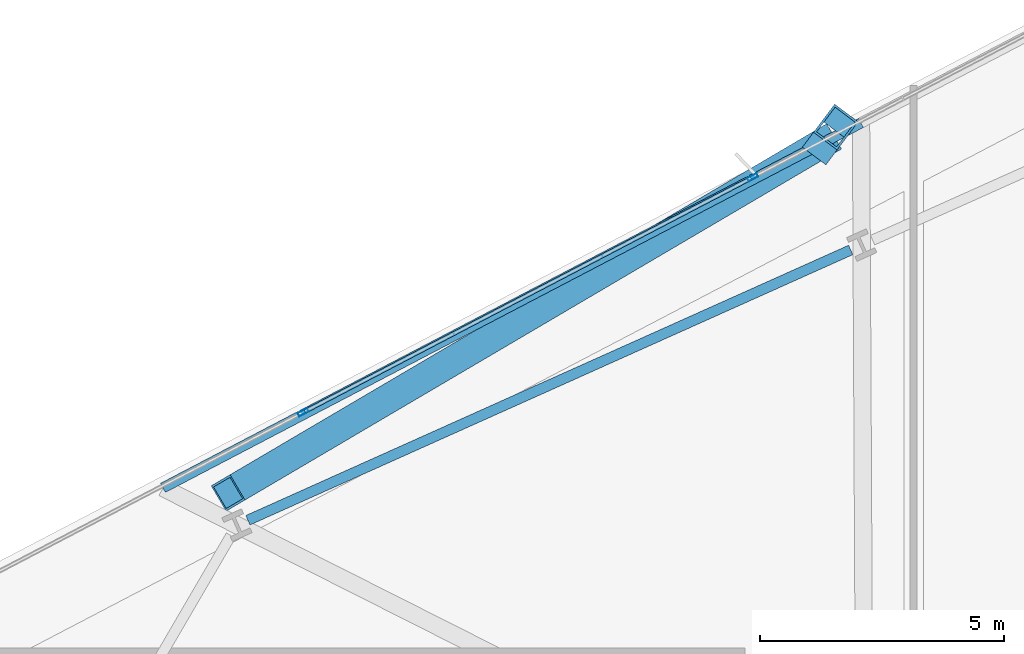
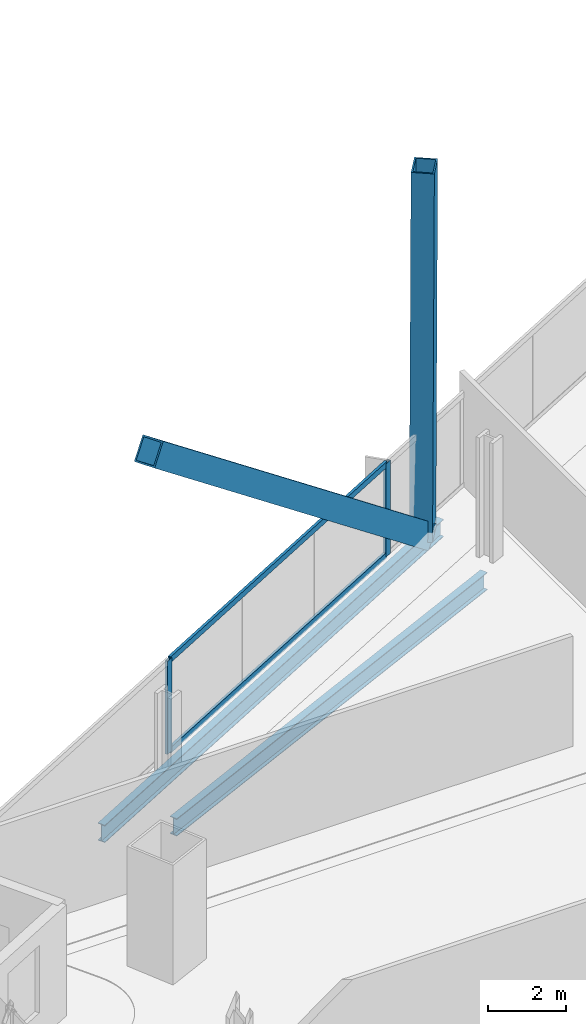
# One storey, part 17 of 33: 6 members, 2 beams, 1 element without a shape of its own.
"""IFC4 building model written with IfcOpenShell, lengths in metres."""

from ifc_helpers import new_model, si_unit, direction, frame, origin, origin_2d, place, context, subcontext, project, spatial, hollow_rectangle, i_section, extrude, material, material_profile, profile_set, type_object, element, aggregate, save


model = new_model("IFC4")

# Units and contexts
model_context = context("Model", 3, precision=1e-05, world=origin(), true_north=direction((0.0, 1.0)))
body_context = subcontext(model_context, "Body", "Model", "MODEL_VIEW")
ifc_project = project(units=[si_unit("LENGTHUNIT", "METRE"), si_unit("AREAUNIT", "SQUARE_METRE"), si_unit("VOLUMEUNIT", "CUBIC_METRE"), si_unit("PLANEANGLEUNIT", "RADIAN"), si_unit("MASSUNIT", "GRAM", prefix="KILO")], contexts=[model_context])

# Site, building, storey
site_placement = place(None, origin())
site = spatial("IfcSite", under=ifc_project, at=site_placement, CompositionType="ELEMENT")
building_placement = place(site_placement, origin())
building = spatial("IfcBuilding", under=site, at=building_placement, Name="Haldenkirk Collegiate Tower", CompositionType="ELEMENT")
storey_placement = place(building_placement, frame((0.0, 0.0, 120.449951171875)))
storey = spatial("IfcBuildingStorey", under=building, at=storey_placement, Name="L29", CompositionType="ELEMENT", Elevation=120.449951171875)

# Beams
ifc_material_1 = material(Name="Steel ASTM A992 Grade 50", Category="steel")
ifc_material_profile_1 = material_profile(ifc_material_1, i_section(OverallWidth=0.2119140625, OverallDepth=0.5439453125, WebThickness=0.01318359375, FlangeThickness=0.021240234375, at=origin_2d()), Name="W21X83")
ifc_profile_set_1 = profile_set([ifc_material_profile_1], Name="Steel ASTM A992 Grade 50")
beam_type = type_object("IfcBeamType", Name="BM-SPANDREL-W21X83", PredefinedType="SPANDREL", material=ifc_profile_set_1)
beam_1_placement = place(storey_placement, frame((26.7138671875, 46.111083984375, -0.572021484375), z_axis=(-0.912476765144, -0.409128528793, 0.0), x_axis=(0.409128528793, -0.912476765144, 0.0)))
element("IfcBeam", 1, at=beam_1_placement, inside=storey, type_object=beam_type, Name="L29 perimeter spandrel beam 11", PredefinedType="SPANDREL", context=body_context, shape_type="SweptSolid", body=[
    extrude(i_section(OverallWidth=0.2119140625, OverallDepth=0.5439453125, WebThickness=0.01318359375, FlangeThickness=0.021240234375, at=origin_2d()), origin(), (0.0, 0.0, 1.0), 13.512939453125),
])
beam_2_placement = place(storey_placement, frame((26.925048828125, 48.7099609375, -0.572021484375), z_axis=(-0.886204658902, -0.463293969894, 0.0), x_axis=(0.463293969894, -0.886204658902, 0.0)))
element("IfcBeam", 2, at=beam_2_placement, inside=storey, type_object=beam_type, Name="L29 outer facade edge beam 3B", PredefinedType="SPANDREL", context=body_context, shape_type="SweptSolid", body=[
    extrude(i_section(OverallWidth=0.2119140625, OverallDepth=0.5439453125, WebThickness=0.01318359375, FlangeThickness=0.021240234375, at=origin_2d()), origin(), (0.0, 0.0, 1.0), 16.111572265625),
])

# Curtain wall, members
ifc_material_2 = material(Name="Anodised architectural bronze aluminium", Category="aluminium")
curtain_wall_type = type_object("IfcCurtainWallType", Name="CW-SYS1-CONVEX-LOW", PredefinedType="USERDEFINED", material=ifc_material_2)
curtain_wall_placement = place(storey_placement, origin())
curtain_wall = element("IfcCurtainWall", 3, at=curtain_wall_placement, inside=storey, type_object=curtain_wall_type, Name="L29 Lower tower convex bronze-framed unitised curtain wall", ObjectType="UNITISED CURTAIN WALL", PredefinedType="USERDEFINED")
ifc_material_profile_2 = material_profile(ifc_material_2, hollow_rectangle(XDim=0.080078125, YDim=0.219970703125, WallThickness=0.0048828125, at=origin_2d()), Name="CW-MUL-1A")
ifc_profile_set_2 = profile_set([ifc_material_profile_2], Name="Anodised architectural bronze aluminium")
member_type_1 = type_object("IfcMemberType", Name="CW-MUL-1A", PredefinedType="MULLION", material=ifc_profile_set_2)
member_1_placement = place(storey_placement, frame((15.51513671875, 42.7900390625, 0.0), z_axis=(0.0, 0.0, 1.0), x_axis=(-0.463296790536, 0.886203184309, 0.0)))
member_1 = element("IfcMember", 4, at=member_1_placement, type_object=member_type_1, Name="CW-1A mullion 2", PredefinedType="MULLION", context=body_context, shape_type="SweptSolid", body=[
    extrude(hollow_rectangle(XDim=0.080078125, YDim=0.219970703125, WallThickness=0.0048828125, at=origin_2d()), origin(), (0.0, 0.0, 1.0), 2.901123046875),
])
member_2_placement = place(storey_placement, frame((24.70947265625, 47.5966796875, 0.0), z_axis=(0.0, 0.0, 1.0), x_axis=(-0.463296790536, 0.886203184309, 0.0)))
member_2 = element("IfcMember", 5, at=member_2_placement, type_object=member_type_1, Name="CW-1A mullion 3", PredefinedType="MULLION", context=body_context, shape_type="SweptSolid", body=[
    extrude(hollow_rectangle(XDim=0.080078125, YDim=0.219970703125, WallThickness=0.0048828125, at=origin_2d()), origin(), (0.0, 0.0, 1.0), 2.901123046875),
])
ifc_material_profile_3 = material_profile(ifc_material_2, hollow_rectangle(XDim=0.080078125, YDim=0.179931640625, WallThickness=0.0048828125, at=origin_2d()), Name="CW-TRN-1A")
ifc_profile_set_3 = profile_set([ifc_material_profile_3], Name="Anodised architectural bronze aluminium")
member_type_2 = type_object("IfcMemberType", Name="CW-TRN-1A", PredefinedType="USERDEFINED", material=ifc_profile_set_3)
member_3_placement = place(storey_placement, frame((15.550537109375, 42.80859375, 0.0400390625), z_axis=(0.886199332893, 0.463304157525, 0.0), x_axis=(-0.463304157525, 0.886199332893, 0.0)))
member_3 = element("IfcMember", 6, at=member_3_placement, type_object=member_type_2, Name="CW-1A transom 2.1", ObjectType="TRANSOM", PredefinedType="USERDEFINED", context=body_context, shape_type="SweptSolid", body=[
    extrude(hollow_rectangle(XDim=0.080078125, YDim=0.179931640625, WallThickness=0.0048828125, at=origin_2d()), origin(), (0.0, 0.0, 1.0), 10.295166015625),
])
member_4_placement = place(storey_placement, frame((15.550537109375, 42.80859375, 2.861083984375), z_axis=(0.886199332893, 0.463304157525, 0.0), x_axis=(-0.463304157525, 0.886199332893, 0.0)))
member_4 = element("IfcMember", 7, at=member_4_placement, type_object=member_type_2, Name="CW-1A transom 2.2", ObjectType="TRANSOM", PredefinedType="USERDEFINED", context=body_context, shape_type="SweptSolid", body=[
    extrude(hollow_rectangle(XDim=0.080078125, YDim=0.179931640625, WallThickness=0.0048828125, at=origin_2d()), origin(), (0.0, 0.0, 1.0), 10.295166015625),
])
aggregate(curtain_wall, [member_1, member_2, member_3, member_4])

# Members
ifc_material_3 = material(Name="Steel ASTM A572 Grade 50", Category="steel")
ifc_material_profile_4 = material_profile(ifc_material_3, hollow_rectangle(XDim=0.60009765625, YDim=0.719970703125, WallThickness=0.044921875, at=origin_2d()), Name="BOX720X600X45")
ifc_profile_set_4 = profile_set([ifc_material_profile_4], Name="Steel ASTM A572 Grade 50")
member_type_3 = type_object("IfcMemberType", Name="MBR-MEGABRACE-BOX720X600X45", PredefinedType="BRACE", material=ifc_profile_set_4)
member_5_placement = place(storey_placement, frame((26.181640625, 48.3212890625, -0.31005859375), z_axis=(0.020369286983, 0.027144525755, 0.999423967528), x_axis=(-0.799845910209, 0.600205398111, 0.0)))
element("IfcMember", 8, at=member_5_placement, inside=storey, type_object=member_type_3, Name="Perimeter Mega Brace Z2 L29-L31 NL", PredefinedType="BRACE", context=body_context, shape_type="SweptSolid", body=[
    extrude(hollow_rectangle(XDim=0.60009765625, YDim=0.719970703125, WallThickness=0.044921875, at=origin_2d()), origin(), (0.0, 0.0, 1.0), 11.20654296875),
])
member_6_placement = place(storey_placement, frame((26.181640625, 48.3212890625, -0.31005859375), z_axis=(-0.675937661284, -0.397705058131, 0.62043449678), x_axis=(0.507109804225, -0.861881457312, 0.0)))
element("IfcMember", 9, at=member_6_placement, inside=storey, type_object=member_type_3, Name="Perimeter Mega Brace Z2 L29-L31 NR", PredefinedType="BRACE", context=body_context, shape_type="SweptSolid", body=[
    extrude(hollow_rectangle(XDim=0.60009765625, YDim=0.719970703125, WallThickness=0.044921875, at=origin_2d()), origin(), (0.0, 0.0, 1.0), 18.05224609375),
])

save(model, "model.ifc")
